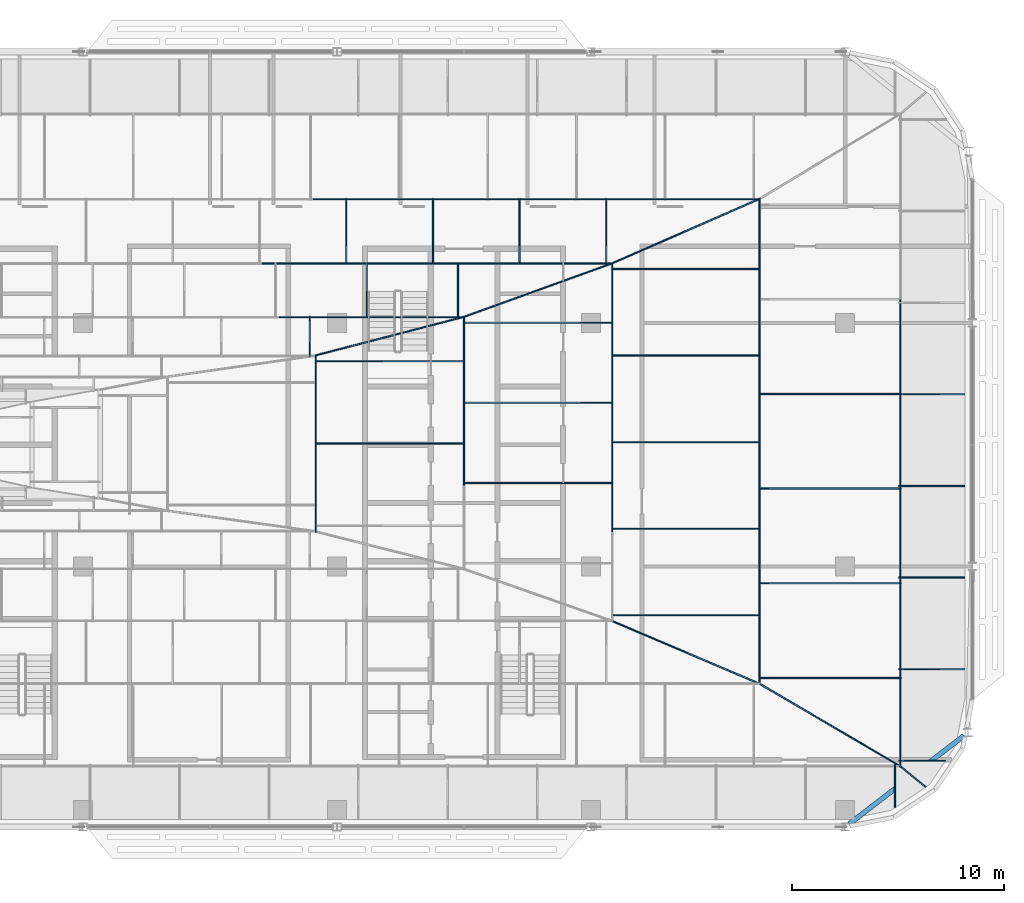
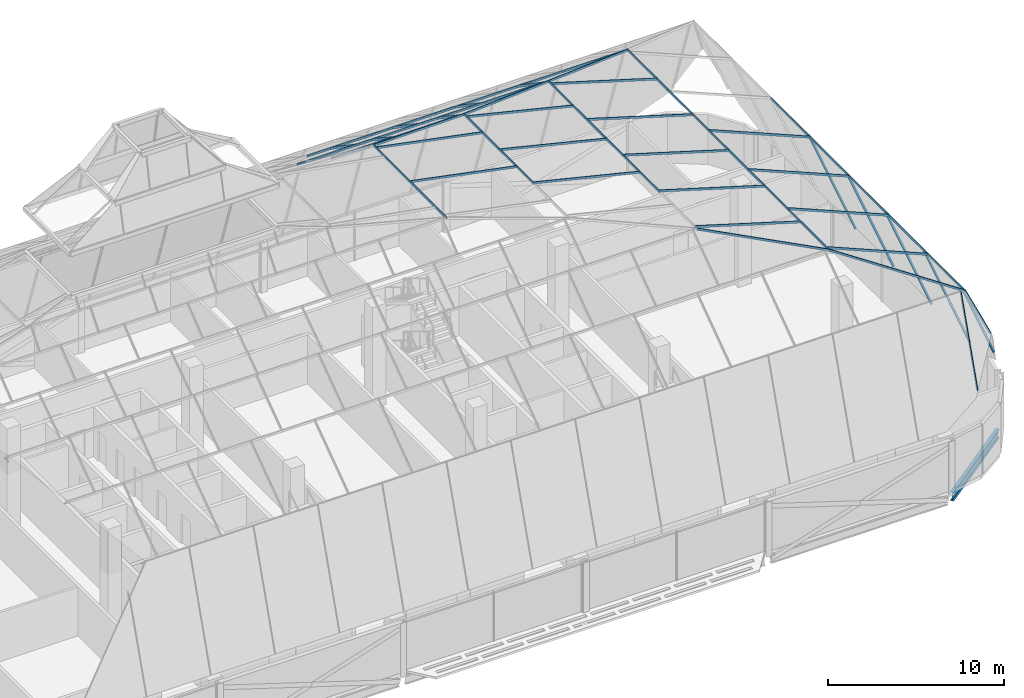
# One storey, part 16 of 39: 61 members, 1 beam, 12 elements without a shape of their own.
"""IFC4 building model written with IfcOpenShell, lengths in metres."""

from ifc_helpers import new_model, si_unit, direction, frame, origin, origin_2d, place, context, subcontext, project, spatial, rectangle, i_section, extrude, material, material_profile, profile_set, type_object, element, aggregate, save


model = new_model("IFC4")

# Units and contexts
model_context = context("Model", 3, precision=1e-05, world=origin(), true_north=direction((0.0, 1.0)))
body_context = subcontext(model_context, "Body", "Model", "MODEL_VIEW")
ifc_project = project(units=[si_unit("LENGTHUNIT", "METRE"), si_unit("AREAUNIT", "SQUARE_METRE"), si_unit("VOLUMEUNIT", "CUBIC_METRE"), si_unit("PLANEANGLEUNIT", "RADIAN"), si_unit("MASSUNIT", "GRAM", prefix="KILO")], contexts=[model_context])

# Site, building, storey
site_placement = place(None, origin())
site = spatial("IfcSite", under=ifc_project, at=site_placement, CompositionType="ELEMENT")
building_placement = place(site_placement, origin())
building = spatial("IfcBuilding", under=site, at=building_placement, Name="Mahtab Terrace Research Tower", CompositionType="ELEMENT")
storey_placement = place(building_placement, frame((0.0, 0.0, 282.300048828125)))
storey = spatial("IfcBuildingStorey", under=building, at=storey_placement, Name="L69", CompositionType="ELEMENT", Elevation=282.300048828125)

# Curtain wall, member
ifc_material_1 = material(Name="Crown faceted glass roof")
curtain_wall_type = type_object("IfcCurtainWallType", Name="Crown faceted glass roof", PredefinedType="NOTDEFINED", material=ifc_material_1)
curtain_wall_1_placement = place(storey_placement, origin())
curtain_wall_1 = element("IfcCurtainWall", 1, at=curtain_wall_1_placement, inside=storey, type_object=curtain_wall_type, Name="CROWN.S0", PredefinedType="NOTDEFINED")
ifc_material_2 = material(Name="Natural anodised aluminium", Category="aluminium")
ifc_material_profile_1 = material_profile(ifc_material_2, rectangle(XDim=0.06005859375, YDim=0.139892578125, at=origin_2d()), Name="MULLION 60x140")
ifc_profile_set_1 = profile_set([ifc_material_profile_1], Name="Natural anodised aluminium")
member_type_1 = type_object("IfcMemberType", Name="Crown faceted glass roof mullion", PredefinedType="MULLION", material=ifc_profile_set_1)
member_1_placement = place(storey_placement, frame((44.34814453125, -11.327880859375, 5.45703125), z_axis=(0.0, 0.317623526494, 0.948216903149), x_axis=(-1.0, 0.0, 0.0)))
member_1 = element("IfcMember", 2, at=member_1_placement, type_object=member_type_1, Name="CWC-S1 mullion 22", PredefinedType="MULLION", context=body_context, shape_type="SweptSolid", body=[
    extrude(rectangle(XDim=0.06005859375, YDim=0.139892578125, at=origin_2d()), origin(), (0.0, 0.0, 1.0), 6.033203125),
])

# Curtain wall, members
curtain_wall_2_placement = place(storey_placement, origin())
curtain_wall_2 = element("IfcCurtainWall", 3, at=curtain_wall_2_placement, inside=storey, type_object=curtain_wall_type, Name="CROWN.E0", PredefinedType="NOTDEFINED")
member_2_placement = place(storey_placement, frame((46.67333984375, -9.177978515625, 6.021240234375), z_axis=(-0.375905886307, 0.0, 0.926657846586), x_axis=(0.0, -1.0, 0.0)))
member_2 = element("IfcMember", 4, at=member_2_placement, type_object=member_type_1, Name="CWC-E1 mullion 1", PredefinedType="MULLION", context=body_context, shape_type="SweptSolid", body=[
    extrude(rectangle(XDim=0.06005859375, YDim=0.139892578125, at=origin_2d()), origin(), (0.0, 0.0, 1.0), 5.56005859375),
])
member_3_placement = place(storey_placement, frame((47.585205078125, -4.851318359375, 3.773681640625), z_axis=(-0.375919413042, 0.0, 0.926652359247), x_axis=(0.0, -1.0, 0.0)))
member_3 = element("IfcMember", 5, at=member_3_placement, type_object=member_type_1, Name="CWC-E1 mullion 2", PredefinedType="MULLION", context=body_context, shape_type="SweptSolid", body=[
    extrude(rectangle(XDim=0.06005859375, YDim=0.139892578125, at=origin_2d()), origin(), (0.0, 0.0, 1.0), 7.985595703125),
])
member_4_placement = place(storey_placement, frame((47.585205078125, -0.52490234375, 3.773681640625), z_axis=(-0.375919413042, 0.0, 0.926652359247), x_axis=(0.0, -1.0, 0.0)))
member_4 = element("IfcMember", 6, at=member_4_placement, type_object=member_type_1, Name="CWC-E1 mullion 3", PredefinedType="MULLION", context=body_context, shape_type="SweptSolid", body=[
    extrude(rectangle(XDim=0.06005859375, YDim=0.139892578125, at=origin_2d()), origin(), (0.0, 0.0, 1.0), 7.985595703125),
])
member_5_placement = place(storey_placement, frame((47.585205078125, 3.8017578125, 3.773681640625), z_axis=(-0.375919413042, 0.0, 0.926652359247), x_axis=(0.0, -1.0, 0.0)))
member_5 = element("IfcMember", 7, at=member_5_placement, type_object=member_type_1, Name="CWC-E1 mullion 4", PredefinedType="MULLION", context=body_context, shape_type="SweptSolid", body=[
    extrude(rectangle(XDim=0.06005859375, YDim=0.139892578125, at=origin_2d()), origin(), (0.0, 0.0, 1.0), 7.985595703125),
])
member_6_placement = place(storey_placement, frame((47.585205078125, 8.12841796875, 3.773681640625), z_axis=(-0.375919413042, 0.0, 0.926652359247), x_axis=(0.0, -1.0, 0.0)))
member_6 = element("IfcMember", 8, at=member_6_placement, type_object=member_type_1, Name="CWC-E1 mullion 5", PredefinedType="MULLION", context=body_context, shape_type="SweptSolid", body=[
    extrude(rectangle(XDim=0.06005859375, YDim=0.139892578125, at=origin_2d()), origin(), (0.0, 0.0, 1.0), 7.985595703125),
])
aggregate(curtain_wall_2, [member_2, member_3, member_4, member_5, member_6])

curtain_wall_3_placement = place(storey_placement, origin())
curtain_wall_3 = element("IfcCurtainWall", 9, at=curtain_wall_3_placement, inside=storey, type_object=curtain_wall_type, Name="CROWN.E1", PredefinedType="NOTDEFINED")
member_7_placement = place(storey_placement, frame((44.62109375, -5.264892578125, 11.135498046875), z_axis=(-0.922072437217, 0.0, 0.38701733879), x_axis=(0.0, -1.0, 0.0)))
member_7 = element("IfcMember", 10, at=member_7_placement, type_object=member_type_1, Name="CWC-E2 mullion 1", PredefinedType="MULLION", context=body_context, shape_type="SweptSolid", body=[
    extrude(rectangle(XDim=0.06005859375, YDim=0.139892578125, at=origin_2d()), origin(), (0.0, 0.0, 1.0), 7.23486328125),
])
member_8_placement = place(storey_placement, frame((44.62109375, -0.794921875, 11.135498046875), z_axis=(-0.922072437217, 0.0, 0.38701733879), x_axis=(0.0, -1.0, 0.0)))
member_8 = element("IfcMember", 11, at=member_8_placement, type_object=member_type_1, Name="CWC-E2 mullion 2", PredefinedType="MULLION", context=body_context, shape_type="SweptSolid", body=[
    extrude(rectangle(XDim=0.06005859375, YDim=0.139892578125, at=origin_2d()), origin(), (0.0, 0.0, 1.0), 7.23486328125),
])
member_9_placement = place(storey_placement, frame((44.62109375, 3.6748046875, 11.135498046875), z_axis=(-0.922072437217, 0.0, 0.38701733879), x_axis=(0.0, -1.0, 0.0)))
member_9 = element("IfcMember", 12, at=member_9_placement, type_object=member_type_1, Name="CWC-E2 mullion 3", PredefinedType="MULLION", context=body_context, shape_type="SweptSolid", body=[
    extrude(rectangle(XDim=0.06005859375, YDim=0.139892578125, at=origin_2d()), origin(), (0.0, 0.0, 1.0), 7.23486328125),
])
member_10_placement = place(storey_placement, frame((44.62109375, 8.144775390625, 11.135498046875), z_axis=(-0.922072437217, 0.0, 0.38701733879), x_axis=(0.0, -1.0, 0.0)))
member_10 = element("IfcMember", 13, at=member_10_placement, type_object=member_type_1, Name="CWC-E2 mullion 4", PredefinedType="MULLION", context=body_context, shape_type="SweptSolid", body=[
    extrude(rectangle(XDim=0.06005859375, YDim=0.139892578125, at=origin_2d()), origin(), (0.0, 0.0, 1.0), 7.23486328125),
])

curtain_wall_4_placement = place(storey_placement, origin())
curtain_wall_4 = element("IfcCurtainWall", 14, at=curtain_wall_4_placement, inside=storey, type_object=curtain_wall_type, Name="CROWN.E2", PredefinedType="NOTDEFINED")
member_11_placement = place(storey_placement, frame((37.956787109375, -2.3076171875, 13.932861328125), z_axis=(-0.957330166086, 0.0, 0.28899645863), x_axis=(0.0, -1.0, 0.0)))
member_11 = element("IfcMember", 15, at=member_11_placement, type_object=member_type_1, Name="CWC-E3 mullion 1", PredefinedType="MULLION", context=body_context, shape_type="SweptSolid", body=[
    extrude(rectangle(XDim=0.06005859375, YDim=0.139892578125, at=origin_2d()), origin(), (0.0, 0.0, 1.0), 7.266845703125),
])
member_12_placement = place(storey_placement, frame((37.956787109375, 1.780029296875, 13.932861328125), z_axis=(-0.957330166086, 0.0, 0.28899645863), x_axis=(0.0, -1.0, 0.0)))
member_12 = element("IfcMember", 16, at=member_12_placement, type_object=member_type_1, Name="CWC-E3 mullion 2", PredefinedType="MULLION", context=body_context, shape_type="SweptSolid", body=[
    extrude(rectangle(XDim=0.06005859375, YDim=0.139892578125, at=origin_2d()), origin(), (0.0, 0.0, 1.0), 7.266845703125),
])
member_13_placement = place(storey_placement, frame((37.956787109375, 5.867919921875, 13.932861328125), z_axis=(-0.957330166086, 0.0, 0.28899645863), x_axis=(0.0, -1.0, 0.0)))
member_13 = element("IfcMember", 17, at=member_13_placement, type_object=member_type_1, Name="CWC-E3 mullion 3", PredefinedType="MULLION", context=body_context, shape_type="SweptSolid", body=[
    extrude(rectangle(XDim=0.06005859375, YDim=0.139892578125, at=origin_2d()), origin(), (0.0, 0.0, 1.0), 7.266845703125),
])
member_14_placement = place(storey_placement, frame((37.956787109375, 9.955810546875, 13.932861328125), z_axis=(-0.957330166086, 0.0, 0.28899645863), x_axis=(0.0, -1.0, 0.0)))
member_14 = element("IfcMember", 18, at=member_14_placement, type_object=member_type_1, Name="CWC-E3 mullion 4", PredefinedType="MULLION", context=body_context, shape_type="SweptSolid", body=[
    extrude(rectangle(XDim=0.06005859375, YDim=0.139892578125, at=origin_2d()), origin(), (0.0, 0.0, 1.0), 7.266845703125),
])
member_15_placement = place(storey_placement, frame((37.956787109375, 14.043701171875, 13.932861328125), z_axis=(-0.957330166086, 0.0, 0.28899645863), x_axis=(0.0, -1.0, 0.0)))
member_15 = element("IfcMember", 19, at=member_15_placement, type_object=member_type_1, Name="CWC-E3 mullion 5", PredefinedType="MULLION", context=body_context, shape_type="SweptSolid", body=[
    extrude(rectangle(XDim=0.06005859375, YDim=0.139892578125, at=origin_2d()), origin(), (0.0, 0.0, 1.0), 7.266845703125),
])

curtain_wall_5_placement = place(storey_placement, origin())
curtain_wall_5 = element("IfcCurtainWall", 20, at=curtain_wall_5_placement, inside=storey, type_object=curtain_wall_type, Name="CROWN.E3", PredefinedType="NOTDEFINED")
member_16_placement = place(storey_placement, frame((31.003662109375, 3.93994140625, 16.031982421875), z_axis=(-0.971791087506, 0.0, 0.235843342592), x_axis=(0.0, -1.0, 0.0)))
member_16 = element("IfcMember", 21, at=member_16_placement, type_object=member_type_1, Name="CWC-E4 mullion 2", PredefinedType="MULLION", context=body_context, shape_type="SweptSolid", body=[
    extrude(rectangle(XDim=0.06005859375, YDim=0.139892578125, at=origin_2d()), origin(), (0.0, 0.0, 1.0), 7.2080078125),
])
member_17_placement = place(storey_placement, frame((31.003662109375, 7.7265625, 16.031982421875), z_axis=(-0.971791087506, 0.0, 0.235843342592), x_axis=(0.0, -1.0, 0.0)))
member_17 = element("IfcMember", 22, at=member_17_placement, type_object=member_type_1, Name="CWC-E4 mullion 3", PredefinedType="MULLION", context=body_context, shape_type="SweptSolid", body=[
    extrude(rectangle(XDim=0.06005859375, YDim=0.139892578125, at=origin_2d()), origin(), (0.0, 0.0, 1.0), 7.2080078125),
])
member_18_placement = place(storey_placement, frame((31.003662109375, 11.512939453125, 16.031982421875), z_axis=(-0.971791087506, 0.0, 0.235843342592), x_axis=(0.0, -1.0, 0.0)))
member_18 = element("IfcMember", 23, at=member_18_placement, type_object=member_type_1, Name="CWC-E4 mullion 4", PredefinedType="MULLION", context=body_context, shape_type="SweptSolid", body=[
    extrude(rectangle(XDim=0.06005859375, YDim=0.139892578125, at=origin_2d()), origin(), (0.0, 0.0, 1.0), 7.2080078125),
])

curtain_wall_6_placement = place(storey_placement, origin())
curtain_wall_6 = element("IfcCurtainWall", 24, at=curtain_wall_6_placement, inside=storey, type_object=curtain_wall_type, Name="CROWN.E4", PredefinedType="NOTDEFINED")
member_19_placement = place(storey_placement, frame((24.001953125, 5.808349609375, 17.7314453125), z_axis=(-0.980608271489, 0.0, 0.195978105633), x_axis=(0.0, -1.0, 0.0)))
member_19 = element("IfcMember", 25, at=member_19_placement, type_object=member_type_1, Name="CWC-E5 mullion 2", PredefinedType="MULLION", context=body_context, shape_type="SweptSolid", body=[
    extrude(rectangle(XDim=0.06005859375, YDim=0.139892578125, at=origin_2d()), origin(), (0.0, 0.0, 1.0), 7.14306640625),
])
member_20_placement = place(storey_placement, frame((24.001953125, 9.692138671875, 17.7314453125), z_axis=(-0.980608271489, 0.0, 0.195978105633), x_axis=(0.0, -1.0, 0.0)))
member_20 = element("IfcMember", 26, at=member_20_placement, type_object=member_type_1, Name="CWC-E5 mullion 3", PredefinedType="MULLION", context=body_context, shape_type="SweptSolid", body=[
    extrude(rectangle(XDim=0.06005859375, YDim=0.139892578125, at=origin_2d()), origin(), (0.0, 0.0, 1.0), 7.14306640625),
])

curtain_wall_7_placement = place(storey_placement, origin())
curtain_wall_7 = element("IfcCurtainWall", 27, at=curtain_wall_7_placement, inside=storey, type_object=curtain_wall_type, Name="CROWN.N2", PredefinedType="NOTDEFINED")
member_21_placement = place(storey_placement, frame((18.43212890625, 17.344482421875, 13.9423828125), z_axis=(0.0, -0.822840996734, 0.568271672789), x_axis=(1.0, 0.0, 0.0)))
member_21 = element("IfcMember", 28, at=member_21_placement, type_object=member_type_1, Name="CWC-N3 mullion 13", PredefinedType="MULLION", context=body_context, shape_type="SweptSolid", body=[
    extrude(rectangle(XDim=0.06005859375, YDim=0.139892578125, at=origin_2d()), origin(), (0.0, 0.0, 1.0), 3.695068359375),
])
member_22_placement = place(storey_placement, frame((22.528076171875, 17.344482421875, 13.9423828125), z_axis=(0.0, -0.822840996734, 0.568271672789), x_axis=(1.0, 0.0, 0.0)))
member_22 = element("IfcMember", 29, at=member_22_placement, type_object=member_type_1, Name="CWC-N3 mullion 14", PredefinedType="MULLION", context=body_context, shape_type="SweptSolid", body=[
    extrude(rectangle(XDim=0.06005859375, YDim=0.139892578125, at=origin_2d()), origin(), (0.0, 0.0, 1.0), 3.695068359375),
])
member_23_placement = place(storey_placement, frame((26.6240234375, 17.344482421875, 13.9423828125), z_axis=(0.0, -0.822840996734, 0.568271672789), x_axis=(1.0, 0.0, 0.0)))
member_23 = element("IfcMember", 30, at=member_23_placement, type_object=member_type_1, Name="CWC-N3 mullion 15", PredefinedType="MULLION", context=body_context, shape_type="SweptSolid", body=[
    extrude(rectangle(XDim=0.06005859375, YDim=0.139892578125, at=origin_2d()), origin(), (0.0, 0.0, 1.0), 3.695068359375),
])
member_24_placement = place(storey_placement, frame((30.72021484375, 17.344482421875, 13.9423828125), z_axis=(0.0, -0.822840996734, 0.568271672789), x_axis=(1.0, 0.0, 0.0)))
member_24 = element("IfcMember", 31, at=member_24_placement, type_object=member_type_1, Name="CWC-N3 mullion 16", PredefinedType="MULLION", context=body_context, shape_type="SweptSolid", body=[
    extrude(rectangle(XDim=0.06005859375, YDim=0.139892578125, at=origin_2d()), origin(), (0.0, 0.0, 1.0), 3.695068359375),
])

curtain_wall_8_placement = place(storey_placement, origin())
curtain_wall_8 = element("IfcCurtainWall", 32, at=curtain_wall_8_placement, inside=storey, type_object=curtain_wall_type, Name="CROWN.N3", PredefinedType="NOTDEFINED")
member_25_placement = place(storey_placement, frame((19.40380859375, 14.3046875, 16.041748046875), z_axis=(0.0, -0.830073925035, 0.557653368121), x_axis=(1.0, 0.0, 0.0)))
member_25 = element("IfcMember", 33, at=member_25_placement, type_object=member_type_1, Name="CWC-N4 mullion 11", PredefinedType="MULLION", context=body_context, shape_type="SweptSolid", body=[
    extrude(rectangle(XDim=0.06005859375, YDim=0.139892578125, at=origin_2d()), origin(), (0.0, 0.0, 1.0), 3.048828125),
])
member_26_placement = place(storey_placement, frame((23.715576171875, 14.3046875, 16.041748046875), z_axis=(0.0, -0.830073925035, 0.557653368121), x_axis=(1.0, 0.0, 0.0)))
member_26 = element("IfcMember", 34, at=member_26_placement, type_object=member_type_1, Name="CWC-N4 mullion 12", PredefinedType="MULLION", context=body_context, shape_type="SweptSolid", body=[
    extrude(rectangle(XDim=0.06005859375, YDim=0.139892578125, at=origin_2d()), origin(), (0.0, 0.0, 1.0), 3.048828125),
])

# Curtain wall, member
curtain_wall_9_placement = place(storey_placement, origin())
curtain_wall_9 = element("IfcCurtainWall", 35, at=curtain_wall_9_placement, inside=storey, type_object=curtain_wall_type, Name="CROWN.N4", PredefinedType="NOTDEFINED")
member_27_placement = place(storey_placement, frame((16.7109375, 11.770263671875, 17.744384765625), z_axis=(0.0, -0.792683260763, 0.609633699943), x_axis=(1.0, 0.0, 0.0)))
member_27 = element("IfcMember", 36, at=member_27_placement, type_object=member_type_1, Name="CWC-N5 mullion 9", PredefinedType="MULLION", context=body_context, shape_type="SweptSolid", body=[
    extrude(rectangle(XDim=0.06005859375, YDim=0.139892578125, at=origin_2d()), origin(), (0.0, 0.0, 1.0), 2.296630859375),
])

# Member
member_28_placement = place(storey_placement, frame((45.753662109375, -10.382568359375, 8.3349609375), z_axis=(-0.358973579916, 0.296500277334, 0.885000313256), x_axis=(-0.636826404197, -0.77100721846, 0.0)))
member_28 = element("IfcMember", 37, at=member_28_placement, type_object=member_type_1, Name="CWC hip SE 1", PredefinedType="MULLION", context=body_context, shape_type="SweptSolid", body=[
    extrude(rectangle(XDim=0.06005859375, YDim=0.139892578125, at=origin_2d()), origin(), (0.0, 0.0, 1.0), 3.20068359375),
])

aggregate(curtain_wall_1, [member_1, member_28])

# Curtain wall, member
curtain_wall_10_placement = place(storey_placement, origin())
curtain_wall_10 = element("IfcCurtainWall", 38, at=curtain_wall_10_placement, inside=storey, type_object=curtain_wall_type, Name="CROWN.S1", PredefinedType="NOTDEFINED")
member_29_placement = place(storey_placement, frame((44.633544921875, -9.456298828125, 11.135009765625), z_axis=(-0.811023389188, 0.475768332063, 0.340419676863), x_axis=(-0.505989248089, -0.862539785064, 0.0)))
member_29 = element("IfcMember", 39, at=member_29_placement, type_object=member_type_1, Name="CWC hip SE 2", PredefinedType="MULLION", context=body_context, shape_type="SweptSolid", body=[
    extrude(rectangle(XDim=0.06005859375, YDim=0.139892578125, at=origin_2d()), origin(), (0.0, 0.0, 1.0), 8.225341796875),
])
aggregate(curtain_wall_10, [member_29])

curtain_wall_11_placement = place(storey_placement, origin())
curtain_wall_11 = element("IfcCurtainWall", 40, at=curtain_wall_11_placement, inside=storey, type_object=curtain_wall_type, Name="CROWN.S2", PredefinedType="NOTDEFINED")
member_30_placement = place(storey_placement, frame((37.96630859375, -5.543212890625, 13.93408203125), z_axis=(-0.886727116322, 0.376909592311, 0.267682984896), x_axis=(-0.391185093579, -0.920312024566, 0.0)))
member_30 = element("IfcMember", 41, at=member_30_placement, type_object=member_type_1, Name="CWC hip SE 3", PredefinedType="MULLION", context=body_context, shape_type="SweptSolid", body=[
    extrude(rectangle(XDim=0.06005859375, YDim=0.139892578125, at=origin_2d()), origin(), (0.0, 0.0, 1.0), 7.845458984375),
])
aggregate(curtain_wall_11, [member_30])

# Member
member_31_placement = place(storey_placement, frame((37.96630859375, 17.36328125, 13.93408203125), z_axis=(-0.883149133651, -0.385988394823, 0.266571879225), x_axis=(0.400479737724, -0.916305614777, 0.0)))
member_31 = element("IfcMember", 42, at=member_31_placement, type_object=member_type_1, Name="CWC hip NE 3", PredefinedType="MULLION", context=body_context, shape_type="SweptSolid", body=[
    extrude(rectangle(XDim=0.06005859375, YDim=0.139892578125, at=origin_2d()), origin(), (0.0, 0.0, 1.0), 7.877197265625),
])

member_32_placement = place(storey_placement, frame((31.011474609375, 14.3232421875, 16.033447265625), z_axis=(-0.916909927481, -0.331277693642, 0.22255622791), x_axis=(0.33979992472, -0.940497746494, 0.0)))
member_32 = element("IfcMember", 43, at=member_32_placement, type_object=member_type_1, Name="CWC hip NE 4", PredefinedType="MULLION", context=body_context, shape_type="SweptSolid", body=[
    extrude(rectangle(XDim=0.06005859375, YDim=0.139892578125, at=origin_2d()), origin(), (0.0, 0.0, 1.0), 7.639404296875),
])

member_33_placement = place(storey_placement, frame((24.00830078125, 11.790283203125, 17.734130859375), z_axis=(-0.950220577545, -0.247010981782, 0.189911634425), x_axis=(0.251589614081, -0.967834007507, 0.0)))
member_33 = element("IfcMember", 44, at=member_33_placement, type_object=member_type_1, Name="CWC hip NE 5", PredefinedType="MULLION", context=body_context, shape_type="SweptSolid", body=[
    extrude(rectangle(XDim=0.06005859375, YDim=0.139892578125, at=origin_2d()), origin(), (0.0, 0.0, 1.0), 7.371337890625),
])

ifc_material_profile_2 = material_profile(ifc_material_2, rectangle(XDim=0.06005859375, YDim=0.139892578125, at=origin_2d()), Name="TRANSOM 60x140")
ifc_profile_set_2 = profile_set([ifc_material_profile_2], Name="Natural anodised aluminium")
member_type_2 = type_object("IfcMemberType", Name="Crown faceted glass roof transom", PredefinedType="USERDEFINED", material=ifc_profile_set_2)
member_34_placement = place(storey_placement, frame((44.598388671875, -9.47802734375, 11.150634765625), z_axis=(0.0, 1.0, 0.0), x_axis=(-1.0, 0.0, 0.0)))
member_34 = element("IfcMember", 45, at=member_34_placement, type_object=member_type_2, Name="CWC-E2 transom 1", ObjectType="TRANSOM", PredefinedType="USERDEFINED", context=body_context, shape_type="SweptSolid", body=[
    extrude(rectangle(XDim=0.06005859375, YDim=0.139892578125, at=origin_2d()), origin(), (0.0, 0.0, 1.0), 4.412353515625),
])

member_35_placement = place(storey_placement, frame((44.598388671875, -5.065673828125, 11.150634765625), z_axis=(0.0, 1.0, 0.0), x_axis=(-1.0, 0.0, 0.0)))
member_35 = element("IfcMember", 46, at=member_35_placement, type_object=member_type_2, Name="CWC-E2 transom 2", ObjectType="TRANSOM", PredefinedType="USERDEFINED", context=body_context, shape_type="SweptSolid", body=[
    extrude(rectangle(XDim=0.06005859375, YDim=0.139892578125, at=origin_2d()), origin(), (0.0, 0.0, 1.0), 4.412353515625),
])

member_36_placement = place(storey_placement, frame((44.598388671875, -0.6533203125, 11.150634765625), z_axis=(0.0, 1.0, 0.0), x_axis=(-1.0, 0.0, 0.0)))
member_36 = element("IfcMember", 47, at=member_36_placement, type_object=member_type_2, Name="CWC-E2 transom 3", ObjectType="TRANSOM", PredefinedType="USERDEFINED", context=body_context, shape_type="SweptSolid", body=[
    extrude(rectangle(XDim=0.06005859375, YDim=0.139892578125, at=origin_2d()), origin(), (0.0, 0.0, 1.0), 4.412109375),
])

member_37_placement = place(storey_placement, frame((44.598388671875, 3.7587890625, 11.150634765625), z_axis=(0.0, 1.0, 0.0), x_axis=(-1.0, 0.0, 0.0)))
member_37 = element("IfcMember", 48, at=member_37_placement, type_object=member_type_2, Name="CWC-E2 transom 4", ObjectType="TRANSOM", PredefinedType="USERDEFINED", context=body_context, shape_type="SweptSolid", body=[
    extrude(rectangle(XDim=0.06005859375, YDim=0.139892578125, at=origin_2d()), origin(), (0.0, 0.0, 1.0), 4.412353515625),
])

member_38_placement = place(storey_placement, frame((44.598388671875, 8.171142578125, 11.150634765625), z_axis=(0.0, 1.0, 0.0), x_axis=(-1.0, 0.0, 0.0)))
member_38 = element("IfcMember", 49, at=member_38_placement, type_object=member_type_2, Name="CWC-E2 transom 5", ObjectType="TRANSOM", PredefinedType="USERDEFINED", context=body_context, shape_type="SweptSolid", body=[
    extrude(rectangle(XDim=0.06005859375, YDim=0.139892578125, at=origin_2d()), origin(), (0.0, 0.0, 1.0), 4.412353515625),
])

aggregate(curtain_wall_3, [member_7, member_8, member_9, member_10, member_34, member_35, member_36, member_37, member_38])

member_39_placement = place(storey_placement, frame((37.953369140625, -5.564697265625, 13.93408203125), z_axis=(0.0, 1.0, 0.0), x_axis=(-1.0, 0.0, 0.0)))
member_39 = element("IfcMember", 50, at=member_39_placement, type_object=member_type_2, Name="CWC-E3 transom 1", ObjectType="TRANSOM", PredefinedType="USERDEFINED", context=body_context, shape_type="SweptSolid", body=[
    extrude(rectangle(XDim=0.06005859375, YDim=0.139892578125, at=origin_2d()), origin(), (0.0, 0.0, 1.0), 4.589599609375),
])

member_40_placement = place(storey_placement, frame((37.953369140625, -0.97509765625, 13.93408203125), z_axis=(0.0, 1.0, 0.0), x_axis=(-1.0, 0.0, 0.0)))
member_40 = element("IfcMember", 51, at=member_40_placement, type_object=member_type_2, Name="CWC-E3 transom 2", ObjectType="TRANSOM", PredefinedType="USERDEFINED", context=body_context, shape_type="SweptSolid", body=[
    extrude(rectangle(XDim=0.06005859375, YDim=0.139892578125, at=origin_2d()), origin(), (0.0, 0.0, 1.0), 4.58984375),
])

member_41_placement = place(storey_placement, frame((37.953369140625, 3.61474609375, 13.93408203125), z_axis=(0.0, 1.0, 0.0), x_axis=(-1.0, 0.0, 0.0)))
member_41 = element("IfcMember", 52, at=member_41_placement, type_object=member_type_2, Name="CWC-E3 transom 3", ObjectType="TRANSOM", PredefinedType="USERDEFINED", context=body_context, shape_type="SweptSolid", body=[
    extrude(rectangle(XDim=0.06005859375, YDim=0.139892578125, at=origin_2d()), origin(), (0.0, 0.0, 1.0), 4.58984375),
])

member_42_placement = place(storey_placement, frame((37.953369140625, 8.20458984375, 13.93408203125), z_axis=(0.0, 1.0, 0.0), x_axis=(-1.0, 0.0, 0.0)))
member_42 = element("IfcMember", 53, at=member_42_placement, type_object=member_type_2, Name="CWC-E3 transom 4", ObjectType="TRANSOM", PredefinedType="USERDEFINED", context=body_context, shape_type="SweptSolid", body=[
    extrude(rectangle(XDim=0.06005859375, YDim=0.139892578125, at=origin_2d()), origin(), (0.0, 0.0, 1.0), 4.58984375),
])

member_43_placement = place(storey_placement, frame((37.953369140625, 12.79443359375, 13.93408203125), z_axis=(0.0, 1.0, 0.0), x_axis=(-1.0, 0.0, 0.0)))
member_43 = element("IfcMember", 54, at=member_43_placement, type_object=member_type_2, Name="CWC-E3 transom 5", ObjectType="TRANSOM", PredefinedType="USERDEFINED", context=body_context, shape_type="SweptSolid", body=[
    extrude(rectangle(XDim=0.06005859375, YDim=0.139892578125, at=origin_2d()), origin(), (0.0, 0.0, 1.0), 4.58984375),
])

aggregate(curtain_wall_4, [member_11, member_12, member_13, member_14, member_15, member_39, member_40, member_41, member_42, member_43])

member_44_placement = place(storey_placement, frame((31.001708984375, 1.630126953125, 16.032470703125), z_axis=(0.0, 1.0, 0.0), x_axis=(-1.0, 0.0, 0.0)))
member_44 = element("IfcMember", 55, at=member_44_placement, type_object=member_type_2, Name="CWC-E4 transom 2", ObjectType="TRANSOM", PredefinedType="USERDEFINED", context=body_context, shape_type="SweptSolid", body=[
    extrude(rectangle(XDim=0.06005859375, YDim=0.139892578125, at=origin_2d()), origin(), (0.0, 0.0, 1.0), 4.23779296875),
])

member_45_placement = place(storey_placement, frame((31.001708984375, 5.867919921875, 16.032470703125), z_axis=(0.0, 1.0, 0.0), x_axis=(-1.0, 0.0, 0.0)))
member_45 = element("IfcMember", 56, at=member_45_placement, type_object=member_type_2, Name="CWC-E4 transom 3", ObjectType="TRANSOM", PredefinedType="USERDEFINED", context=body_context, shape_type="SweptSolid", body=[
    extrude(rectangle(XDim=0.06005859375, YDim=0.139892578125, at=origin_2d()), origin(), (0.0, 0.0, 1.0), 4.238037109375),
])

member_46_placement = place(storey_placement, frame((31.001708984375, 10.10595703125, 16.032470703125), z_axis=(0.0, 1.0, 0.0), x_axis=(-1.0, 0.0, 0.0)))
member_46 = element("IfcMember", 57, at=member_46_placement, type_object=member_type_2, Name="CWC-E4 transom 4", ObjectType="TRANSOM", PredefinedType="USERDEFINED", context=body_context, shape_type="SweptSolid", body=[
    extrude(rectangle(XDim=0.06005859375, YDim=0.139892578125, at=origin_2d()), origin(), (0.0, 0.0, 1.0), 4.23779296875),
])

aggregate(curtain_wall_5, [member_16, member_17, member_18, member_44, member_45, member_46])

member_47_placement = place(storey_placement, frame((24.00048828125, 3.840087890625, 17.731689453125), z_axis=(0.0, 1.0, 0.0), x_axis=(-1.0, 0.0, 0.0)))
member_47 = element("IfcMember", 58, at=member_47_placement, type_object=member_type_2, Name="CWC-E5 transom 2", ObjectType="TRANSOM", PredefinedType="USERDEFINED", context=body_context, shape_type="SweptSolid", body=[
    extrude(rectangle(XDim=0.06005859375, YDim=0.139892578125, at=origin_2d()), origin(), (0.0, 0.0, 1.0), 3.986328125),
])

member_48_placement = place(storey_placement, frame((24.00048828125, 7.826416015625, 17.731689453125), z_axis=(0.0, 1.0, 0.0), x_axis=(-1.0, 0.0, 0.0)))
member_48 = element("IfcMember", 59, at=member_48_placement, type_object=member_type_2, Name="CWC-E5 transom 3", ObjectType="TRANSOM", PredefinedType="USERDEFINED", context=body_context, shape_type="SweptSolid", body=[
    extrude(rectangle(XDim=0.06005859375, YDim=0.139892578125, at=origin_2d()), origin(), (0.0, 0.0, 1.0), 3.986572265625),
])

aggregate(curtain_wall_6, [member_19, member_20, member_47, member_48])

# Curtain wall, members
curtain_wall_12_placement = place(storey_placement, origin())
curtain_wall_12 = element("IfcCurtainWall", 60, at=curtain_wall_12_placement, inside=storey, type_object=curtain_wall_type, Name="CROWN.E5", PredefinedType="NOTDEFINED")
member_49_placement = place(storey_placement, frame((16.998291015625, 1.624267578125, 19.131103515625), z_axis=(0.0, 1.0, 0.0), x_axis=(-1.0, 0.0, 0.0)))
member_49 = element("IfcMember", 61, at=member_49_placement, type_object=member_type_2, Name="CWC-E6 transom 1", ObjectType="TRANSOM", PredefinedType="USERDEFINED", context=body_context, shape_type="SweptSolid", body=[
    extrude(rectangle(XDim=0.06005859375, YDim=0.139892578125, at=origin_2d()), origin(), (0.0, 0.0, 1.0), 4.18408203125),
])
member_50_placement = place(storey_placement, frame((16.998291015625, 5.808349609375, 19.131103515625), z_axis=(0.0, 1.0, 0.0), x_axis=(-1.0, 0.0, 0.0)))
member_50 = element("IfcMember", 62, at=member_50_placement, type_object=member_type_2, Name="CWC-E6 transom 2", ObjectType="TRANSOM", PredefinedType="USERDEFINED", context=body_context, shape_type="SweptSolid", body=[
    extrude(rectangle(XDim=0.06005859375, YDim=0.139892578125, at=origin_2d()), origin(), (0.0, 0.0, 1.0), 4.183837890625),
])
aggregate(curtain_wall_12, [member_49, member_50])

# Member
member_51_placement = place(storey_placement, frame((16.878662109375, 17.344482421875, 13.9423828125), z_axis=(1.0, 0.0, 0.0), x_axis=(0.0, 1.0, 0.0)))
member_51 = element("IfcMember", 63, at=member_51_placement, type_object=member_type_2, Name="CWC-N3 transom 14", ObjectType="TRANSOM", PredefinedType="USERDEFINED", context=body_context, shape_type="SweptSolid", body=[
    extrude(rectangle(XDim=0.06005859375, YDim=0.139892578125, at=origin_2d()), origin(), (0.0, 0.0, 1.0), 4.2197265625),
])

member_52_placement = place(storey_placement, frame((21.098388671875, 17.344482421875, 13.9423828125), z_axis=(1.0, 0.0, 0.0), x_axis=(0.0, 1.0, 0.0)))
member_52 = element("IfcMember", 64, at=member_52_placement, type_object=member_type_2, Name="CWC-N3 transom 15", ObjectType="TRANSOM", PredefinedType="USERDEFINED", context=body_context, shape_type="SweptSolid", body=[
    extrude(rectangle(XDim=0.06005859375, YDim=0.139892578125, at=origin_2d()), origin(), (0.0, 0.0, 1.0), 4.2197265625),
])

member_53_placement = place(storey_placement, frame((25.318115234375, 17.344482421875, 13.9423828125), z_axis=(1.0, 0.0, 0.0), x_axis=(0.0, 1.0, 0.0)))
member_53 = element("IfcMember", 65, at=member_53_placement, type_object=member_type_2, Name="CWC-N3 transom 16", ObjectType="TRANSOM", PredefinedType="USERDEFINED", context=body_context, shape_type="SweptSolid", body=[
    extrude(rectangle(XDim=0.06005859375, YDim=0.139892578125, at=origin_2d()), origin(), (0.0, 0.0, 1.0), 4.219482421875),
])

member_54_placement = place(storey_placement, frame((29.53759765625, 17.344482421875, 13.9423828125), z_axis=(1.0, 0.0, 0.0), x_axis=(0.0, 1.0, 0.0)))
member_54 = element("IfcMember", 66, at=member_54_placement, type_object=member_type_2, Name="CWC-N3 transom 17", ObjectType="TRANSOM", PredefinedType="USERDEFINED", context=body_context, shape_type="SweptSolid", body=[
    extrude(rectangle(XDim=0.06005859375, YDim=0.139892578125, at=origin_2d()), origin(), (0.0, 0.0, 1.0), 4.2197265625),
])

member_55_placement = place(storey_placement, frame((33.75732421875, 17.344482421875, 13.9423828125), z_axis=(1.0, 0.0, 0.0), x_axis=(0.0, 1.0, 0.0)))
member_55 = element("IfcMember", 67, at=member_55_placement, type_object=member_type_2, Name="CWC-N3 transom 18", ObjectType="TRANSOM", PredefinedType="USERDEFINED", context=body_context, shape_type="SweptSolid", body=[
    extrude(rectangle(XDim=0.06005859375, YDim=0.139892578125, at=origin_2d()), origin(), (0.0, 0.0, 1.0), 4.2197265625),
])

aggregate(curtain_wall_7, [member_21, member_22, member_23, member_24, member_51, member_52, member_53, member_54, member_55, member_31])

member_56_placement = place(storey_placement, frame((14.47607421875, 14.30419921875, 16.0419921875), z_axis=(1.0, 0.0, 0.0), x_axis=(0.0, 1.0, 0.0)))
member_56 = element("IfcMember", 68, at=member_56_placement, type_object=member_type_2, Name="CWC-N4 transom 12", ObjectType="TRANSOM", PredefinedType="USERDEFINED", context=body_context, shape_type="SweptSolid", body=[
    extrude(rectangle(XDim=0.06005859375, YDim=0.139892578125, at=origin_2d()), origin(), (0.0, 0.0, 1.0), 4.135986328125),
])

member_57_placement = place(storey_placement, frame((18.612060546875, 14.30419921875, 16.0419921875), z_axis=(1.0, 0.0, 0.0), x_axis=(0.0, 1.0, 0.0)))
member_57 = element("IfcMember", 69, at=member_57_placement, type_object=member_type_2, Name="CWC-N4 transom 13", ObjectType="TRANSOM", PredefinedType="USERDEFINED", context=body_context, shape_type="SweptSolid", body=[
    extrude(rectangle(XDim=0.06005859375, YDim=0.139892578125, at=origin_2d()), origin(), (0.0, 0.0, 1.0), 4.135986328125),
])

member_58_placement = place(storey_placement, frame((22.748046875, 14.30419921875, 16.0419921875), z_axis=(1.0, 0.0, 0.0), x_axis=(0.0, 1.0, 0.0)))
member_58 = element("IfcMember", 70, at=member_58_placement, type_object=member_type_2, Name="CWC-N4 transom 14", ObjectType="TRANSOM", PredefinedType="USERDEFINED", context=body_context, shape_type="SweptSolid", body=[
    extrude(rectangle(XDim=0.06005859375, YDim=0.139892578125, at=origin_2d()), origin(), (0.0, 0.0, 1.0), 4.135986328125),
])

member_59_placement = place(storey_placement, frame((26.884033203125, 14.30419921875, 16.0419921875), z_axis=(1.0, 0.0, 0.0), x_axis=(0.0, 1.0, 0.0)))
member_59 = element("IfcMember", 71, at=member_59_placement, type_object=member_type_2, Name="CWC-N4 transom 15", ObjectType="TRANSOM", PredefinedType="USERDEFINED", context=body_context, shape_type="SweptSolid", body=[
    extrude(rectangle(XDim=0.06005859375, YDim=0.139892578125, at=origin_2d()), origin(), (0.0, 0.0, 1.0), 4.13623046875),
])

aggregate(curtain_wall_8, [member_25, member_26, member_56, member_57, member_58, member_59, member_32])

member_60_placement = place(storey_placement, frame((15.28271484375, 11.772216796875, 17.7431640625), z_axis=(1.0, 0.0, 0.0), x_axis=(0.0, 1.0, 0.0)))
member_60 = element("IfcMember", 72, at=member_60_placement, type_object=member_type_2, Name="CWC-N5 transom 10", ObjectType="TRANSOM", PredefinedType="USERDEFINED", context=body_context, shape_type="SweptSolid", body=[
    extrude(rectangle(XDim=0.06005859375, YDim=0.139892578125, at=origin_2d()), origin(), (0.0, 0.0, 1.0), 4.366455078125),
])

member_61_placement = place(storey_placement, frame((19.649169921875, 11.772216796875, 17.7431640625), z_axis=(1.0, 0.0, 0.0), x_axis=(0.0, 1.0, 0.0)))
member_61 = element("IfcMember", 73, at=member_61_placement, type_object=member_type_2, Name="CWC-N5 transom 11", ObjectType="TRANSOM", PredefinedType="USERDEFINED", context=body_context, shape_type="SweptSolid", body=[
    extrude(rectangle(XDim=0.06005859375, YDim=0.139892578125, at=origin_2d()), origin(), (0.0, 0.0, 1.0), 4.366455078125),
])

aggregate(curtain_wall_9, [member_27, member_60, member_61, member_33])

# Beam
ifc_material_3 = material(Name="Steel ASTM A992 Gr 50", Category="steel")
ifc_material_profile_3 = material_profile(ifc_material_3, i_section(OverallWidth=0.228271484375, OverallDepth=0.607177734375, WebThickness=0.01123046875, FlangeThickness=0.017333984375, at=origin_2d()), Name="W24X76")
ifc_profile_set_3 = profile_set([ifc_material_profile_3], Name="Steel ASTM A992 Gr 50")
beam_type = type_object("IfcBeamType", Name="W24x76 beam BS2476", PredefinedType="BEAM", material=ifc_profile_set_3)
beam_placement = place(storey_placement, frame((42.19677734375, -12.155517578125, -0.6435546875), z_axis=(0.792687883453, 0.60962768919, 0.0), x_axis=(-0.60962768919, 0.792687883453, 0.0)))
element("IfcBeam", 74, at=beam_placement, inside=storey, type_object=beam_type, Name="Spandrel beam L69 21", PredefinedType="BEAM", context=body_context, shape_type="SweptSolid", body=[
    extrude(i_section(OverallWidth=0.228271484375, OverallDepth=0.607177734375, WebThickness=0.01123046875, FlangeThickness=0.017333984375, at=origin_2d()), origin(), (0.0, 0.0, 1.0), 6.817626953125),
])

save(model, "model.ifc")
